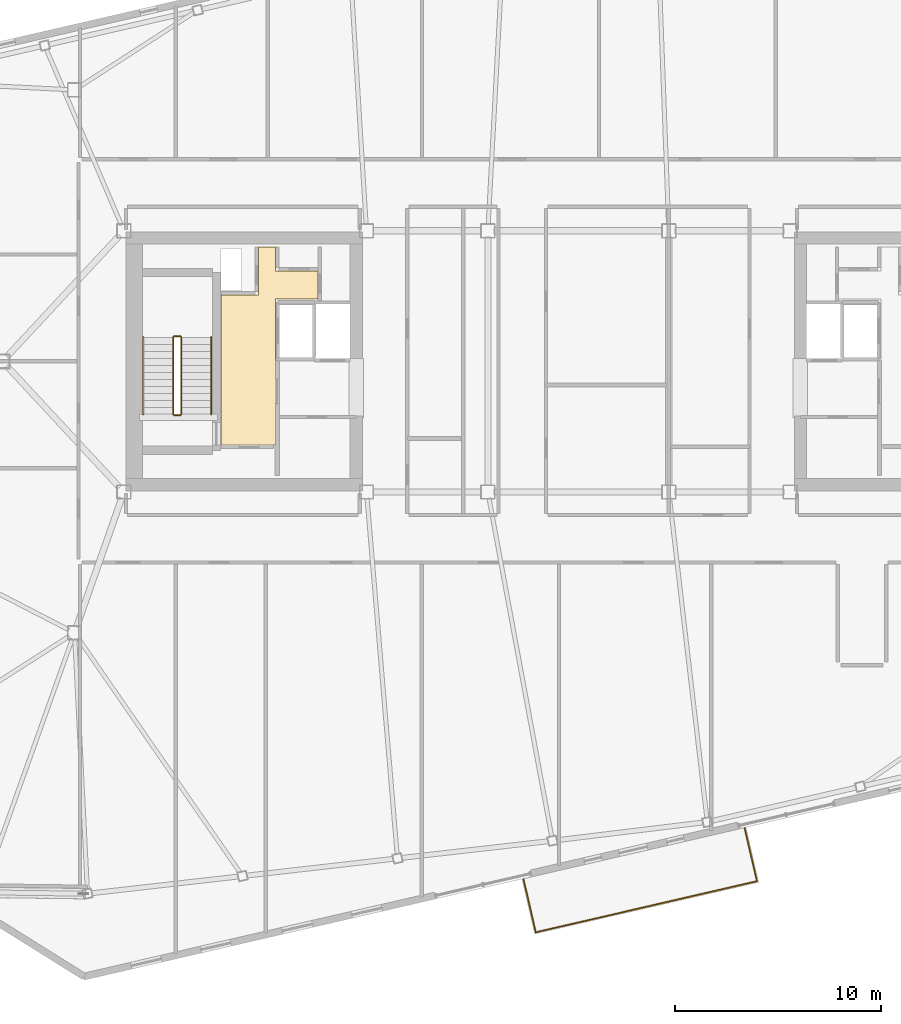
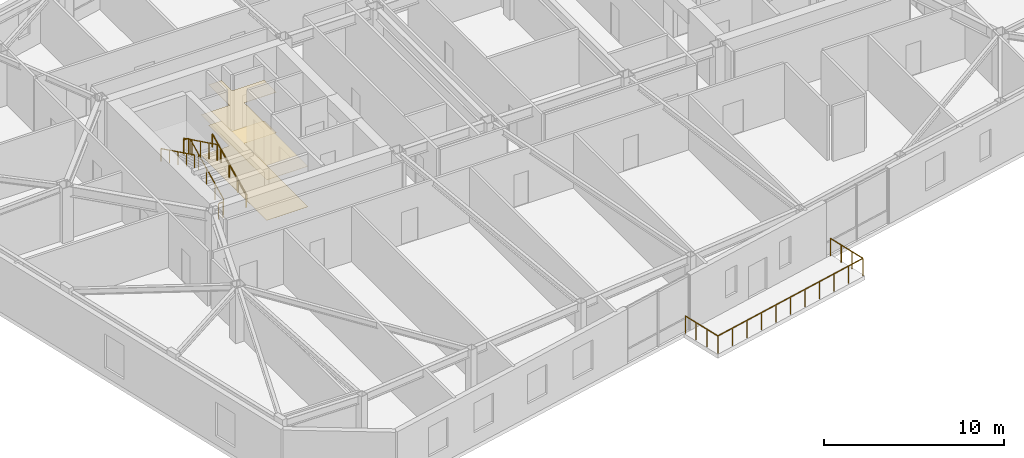
# One storey, part 23 of 24: 7 railings, 2 coverings.
"""IFC4 building model written with IfcOpenShell, lengths in metres."""

from ifc_helpers import new_model, si_unit, direction, frame, origin, origin_2d, place, context, subcontext, project, spatial, polyline, rectangle, outline, extrude, material, layer, layer_set, type_object, element, save


model = new_model("IFC4")

# Units and contexts
model_context = context("Model", 3, precision=1e-05, world=origin(), true_north=direction((0.0, 1.0)))
body_context = subcontext(model_context, "Body", "Model", "MODEL_VIEW")
ifc_project = project(units=[si_unit("LENGTHUNIT", "METRE"), si_unit("AREAUNIT", "SQUARE_METRE"), si_unit("VOLUMEUNIT", "CUBIC_METRE"), si_unit("PLANEANGLEUNIT", "RADIAN"), si_unit("MASSUNIT", "GRAM", prefix="KILO")], contexts=[model_context])

# Site, building, storey
site_placement = place(None, origin())
site = spatial("IfcSite", under=ifc_project, at=site_placement, CompositionType="ELEMENT")
building_placement = place(site_placement, origin())
building = spatial("IfcBuilding", under=site, at=building_placement, Name="Tavrogorsk Clinical Tower", CompositionType="ELEMENT")
storey_placement = place(building_placement, frame((0.0, 0.0, 325.0)))
storey = spatial("IfcBuildingStorey", under=building, at=storey_placement, Name="L76", CompositionType="ELEMENT", Elevation=325.0)

# Coverings
ifc_material_1 = material(Name="Antibacterial micro-perforated aluminium ceiling", Category="aluminium")
ifc_layer_1 = layer(ifc_material_1, 0.014892578125)
ifc_layer_set_1 = layer_set([ifc_layer_1], Name="Antibacterial micro-perforated aluminium ceiling")
covering_type_1 = type_object("IfcCoveringType", Name="ClinicalCeiling_15", PredefinedType="CEILING", material=ifc_layer_set_1)
covering_1_placement = place(storey_placement, frame((0.0, 0.0, 2.75)))
element("IfcCovering", 1, at=covering_1_placement, inside=storey, type_object=covering_type_1, Name="Core West Firefighting Lift Lobby Acoustic Ceiling", PredefinedType="CEILING", context=body_context, shape_type="SweptSolid", body=[
    extrude(outline(polyline([(-17.3798828125, -4.06005859375), (-17.3798828125, 3.239990234375), (-15.56005859375, 3.239990234375), (-15.56005859375, 5.56005859375), (-14.719970703125, 5.56005859375), (-14.719970703125, 4.39990234375), (-12.659912109375, 4.39990234375), (-12.659912109375, 3.0400390625), (-14.719970703125, 3.0400390625), (-14.719970703125, -4.06005859375), (-17.3798828125, -4.06005859375)])), origin(), (0.0, 0.0, 1.0), 0.014892578125),
])
ifc_material_2 = material(Name="Homogeneous medical conductive PVC flooring")
ifc_layer_2 = layer(ifc_material_2, 0.008056640625)
ifc_layer_set_2 = layer_set([ifc_layer_2], Name="Homogeneous medical conductive PVC flooring")
covering_type_2 = type_object("IfcCoveringType", Name="ResilientVinylFloor_8", PredefinedType="FLOORING", material=ifc_layer_set_2)
covering_2_placement = place(storey_placement, origin())
element("IfcCovering", 2, at=covering_2_placement, inside=storey, type_object=covering_type_2, Name="Core West Firefighting Lift Lobby Conductive Vinyl Flooring", PredefinedType="FLOORING", context=body_context, shape_type="SweptSolid", body=[
    extrude(outline(polyline([(-17.3798828125, -4.06005859375), (-17.3798828125, 3.239990234375), (-15.56005859375, 3.239990234375), (-15.56005859375, 5.56005859375), (-14.719970703125, 5.56005859375), (-14.719970703125, 4.39990234375), (-12.659912109375, 4.39990234375), (-12.659912109375, 3.0400390625), (-14.719970703125, 3.0400390625), (-14.719970703125, -4.06005859375), (-17.3798828125, -4.06005859375)])), origin(), (0.0, 0.0, 1.0), 0.008056640625),
])

# Railings
ifc_material_3 = material(Name="Galvanised steel S355 safety stairwell guard", Category="steel")
ifc_layer_3 = layer(ifc_material_3, 0.06005859375)
ifc_layer_set_3 = layer_set([ifc_layer_3], Name="Galvanised steel S355 safety stairwell guard")
railing_type_1 = type_object("IfcRailingType", Name="StairGuard_1150", PredefinedType="GUARDRAIL", material=ifc_layer_set_3)
railing_1_placement = place(storey_placement, frame((-19.300048828125, -2.574951171875, 0.166748046875)))
element("IfcRailing", 3, at=railing_1_placement, inside=storey, type_object=railing_type_1, Name="L76 ST-W stair guard 1", PredefinedType="GUARDRAIL", context=body_context, shape_type="SweptSolid", body=[
    extrude(rectangle(XDim=0.048095703125, YDim=0.048095703125, at=origin_2d()), frame((0.0, 0.0, 1.076171875), z_axis=(0.0, 0.897927990467, 0.440142390523), x_axis=(-1.0, 0.0, 0.0)), (0.0, 0.0, 1.0), 4.1650390625),
    extrude(rectangle(XDim=0.0419921875, YDim=0.0419921875, at=origin_2d()), origin(), (0.0, 0.0, 1.0), 1.052001953125),
    extrude(rectangle(XDim=0.0419921875, YDim=0.0419921875, at=origin_2d()), frame((0.0, 0.93505859375, 0.458251953125)), (0.0, 0.0, 1.0), 1.052001953125),
    extrude(rectangle(XDim=0.0419921875, YDim=0.0419921875, at=origin_2d()), frame((0.0, 1.8701171875, 0.91650390625)), (0.0, 0.0, 1.0), 1.052001953125),
    extrude(rectangle(XDim=0.0419921875, YDim=0.0419921875, at=origin_2d()), frame((0.0, 2.804931640625, 1.375)), (0.0, 0.0, 1.0), 1.052001953125),
    extrude(rectangle(XDim=0.0419921875, YDim=0.0419921875, at=origin_2d()), frame((0.0, 3.739990234375, 1.833251953125)), (0.0, 0.0, 1.0), 1.052001953125),
])
railing_2_placement = place(storey_placement, frame((-19.35009765625, 1.215087890625, 2.0)))
element("IfcRailing", 4, at=railing_2_placement, inside=storey, type_object=railing_type_1, Name="L76 ST-W stair guard 2", PredefinedType="GUARDRAIL", context=body_context, shape_type="SweptSolid", body=[
    extrude(rectangle(XDim=0.048095703125, YDim=0.048095703125, at=origin_2d()), frame((0.0, 0.0, 1.076171875), z_axis=(-1.0, 0.0, 0.0), x_axis=(0.0, -1.0, 0.0)), (0.0, 0.0, 1.0), 0.2998046875),
    extrude(rectangle(XDim=0.0419921875, YDim=0.0419921875, at=origin_2d()), origin(), (0.0, 0.0, 1.0), 1.052001953125),
    extrude(rectangle(XDim=0.0419921875, YDim=0.0419921875, at=origin_2d()), frame((-0.2998046875, 0.0, 0.0)), (0.0, 0.0, 1.0), 1.052001953125),
])
railing_3_placement = place(storey_placement, frame((-19.699951171875, 1.1650390625, 2.166748046875)))
element("IfcRailing", 5, at=railing_3_placement, inside=storey, type_object=railing_type_1, Name="L76 ST-W stair guard 3", PredefinedType="GUARDRAIL", context=body_context, shape_type="SweptSolid", body=[
    extrude(rectangle(XDim=0.048095703125, YDim=0.048095703125, at=origin_2d()), frame((0.0, 0.0, 1.076171875), z_axis=(0.0, -0.897927990467, 0.440142390523), x_axis=(1.0, 0.0, 0.0)), (0.0, 0.0, 1.0), 4.1650390625),
    extrude(rectangle(XDim=0.0419921875, YDim=0.0419921875, at=origin_2d()), origin(), (0.0, 0.0, 1.0), 1.052001953125),
    extrude(rectangle(XDim=0.0419921875, YDim=0.0419921875, at=origin_2d()), frame((0.0, -0.93505859375, 0.458251953125)), (0.0, 0.0, 1.0), 1.052001953125),
    extrude(rectangle(XDim=0.0419921875, YDim=0.0419921875, at=origin_2d()), frame((0.0, -1.8701171875, 0.91650390625)), (0.0, 0.0, 1.0), 1.052001953125),
    extrude(rectangle(XDim=0.0419921875, YDim=0.0419921875, at=origin_2d()), frame((0.0, -2.804931640625, 1.375)), (0.0, 0.0, 1.0), 1.052001953125),
    extrude(rectangle(XDim=0.0419921875, YDim=0.0419921875, at=origin_2d()), frame((0.0, -3.739990234375, 1.833251953125)), (0.0, 0.0, 1.0), 1.052001953125),
])
railing_4_placement = place(storey_placement, frame((-19.35009765625, -2.625, 0.0)))
element("IfcRailing", 6, at=railing_4_placement, inside=storey, type_object=railing_type_1, Name="L76 ST-W stair guard 4", PredefinedType="GUARDRAIL", context=body_context, shape_type="SweptSolid", body=[
    extrude(rectangle(XDim=0.048095703125, YDim=0.048095703125, at=origin_2d()), frame((0.0, 0.0, 1.076171875), z_axis=(-1.0, 0.0, 0.0), x_axis=(0.0, -1.0, 0.0)), (0.0, 0.0, 1.0), 0.2998046875),
    extrude(rectangle(XDim=0.0419921875, YDim=0.0419921875, at=origin_2d()), origin(), (0.0, 0.0, 1.0), 1.052001953125),
    extrude(rectangle(XDim=0.0419921875, YDim=0.0419921875, at=origin_2d()), frame((-0.2998046875, 0.0, 0.0)), (0.0, 0.0, 1.0), 1.052001953125),
])
ifc_material_4 = material(Name="Stainless steel AISI 304 tubular handrail", Category="steel")
ifc_layer_4 = layer(ifc_material_4, 0.050048828125)
ifc_layer_set_4 = layer_set([ifc_layer_4], Name="Stainless steel AISI 304 tubular handrail")
railing_type_2 = type_object("IfcRailingType", Name="StairHandrail_920", PredefinedType="HANDRAIL", material=ifc_layer_set_4)
railing_5_placement = place(storey_placement, frame((-17.85009765625, -2.574951171875, 0.166748046875)))
element("IfcRailing", 7, at=railing_5_placement, inside=storey, type_object=railing_type_2, Name="L76 ST-W stair handrail 1", PredefinedType="HANDRAIL", context=body_context, shape_type="SweptSolid", body=[
    extrude(rectangle(XDim=0.048095703125, YDim=0.048095703125, at=origin_2d()), frame((0.0, 0.0, 0.8759765625), z_axis=(0.0, 0.897927990467, 0.440142390523), x_axis=(-1.0, 0.0, 0.0)), (0.0, 0.0, 1.0), 4.1650390625),
    extrude(rectangle(XDim=0.0419921875, YDim=0.0419921875, at=origin_2d()), origin(), (0.0, 0.0, 1.0), 0.851806640625),
    extrude(rectangle(XDim=0.0419921875, YDim=0.0419921875, at=origin_2d()), frame((0.0, 0.93505859375, 0.458251953125)), (0.0, 0.0, 1.0), 0.851806640625),
    extrude(rectangle(XDim=0.0419921875, YDim=0.0419921875, at=origin_2d()), frame((0.0, 1.8701171875, 0.91650390625)), (0.0, 0.0, 1.0), 0.851806640625),
    extrude(rectangle(XDim=0.0419921875, YDim=0.0419921875, at=origin_2d()), frame((0.0, 2.804931640625, 1.375)), (0.0, 0.0, 1.0), 0.851806640625),
    extrude(rectangle(XDim=0.0419921875, YDim=0.0419921875, at=origin_2d()), frame((0.0, 3.739990234375, 1.833251953125)), (0.0, 0.0, 1.0), 0.851806640625),
])
railing_6_placement = place(storey_placement, frame((-21.14990234375, 1.1650390625, 2.166748046875)))
element("IfcRailing", 8, at=railing_6_placement, inside=storey, type_object=railing_type_2, Name="L76 ST-W stair handrail 2", PredefinedType="HANDRAIL", context=body_context, shape_type="SweptSolid", body=[
    extrude(rectangle(XDim=0.048095703125, YDim=0.048095703125, at=origin_2d()), frame((0.0, 0.0, 0.8759765625), z_axis=(0.0, -0.897927990467, 0.440142390523), x_axis=(1.0, 0.0, 0.0)), (0.0, 0.0, 1.0), 4.1650390625),
    extrude(rectangle(XDim=0.0419921875, YDim=0.0419921875, at=origin_2d()), origin(), (0.0, 0.0, 1.0), 0.851806640625),
    extrude(rectangle(XDim=0.0419921875, YDim=0.0419921875, at=origin_2d()), frame((0.0, -0.93505859375, 0.458251953125)), (0.0, 0.0, 1.0), 0.851806640625),
    extrude(rectangle(XDim=0.0419921875, YDim=0.0419921875, at=origin_2d()), frame((0.0, -1.8701171875, 0.91650390625)), (0.0, 0.0, 1.0), 0.851806640625),
    extrude(rectangle(XDim=0.0419921875, YDim=0.0419921875, at=origin_2d()), frame((0.0, -2.804931640625, 1.375)), (0.0, 0.0, 1.0), 0.851806640625),
    extrude(rectangle(XDim=0.0419921875, YDim=0.0419921875, at=origin_2d()), frame((0.0, -3.739990234375, 1.833251953125)), (0.0, 0.0, 1.0), 0.851806640625),
])
ifc_material_5 = material(Name="Stainless steel AISI 316 and laminated glass balustrade", Category="steel")
ifc_layer_5 = layer(ifc_material_5, 0.090087890625)
ifc_layer_set_5 = layer_set([ifc_layer_5], Name="Stainless steel AISI 316 and laminated glass balustrade")
railing_type_3 = type_object("IfcRailingType", Name="TerraceGuardRailing_1200", PredefinedType="BALUSTRADE", material=ifc_layer_set_5)
railing_7_placement = place(storey_placement, frame((-2.667724609375, -25.179443359375, 0.0)))
element("IfcRailing", 9, at=railing_7_placement, inside=storey, type_object=railing_type_3, Name="L76 Spiralling Terrace Balustrade GD-01", PredefinedType="BALUSTRADE", context=body_context, shape_type="SweptSolid", body=[
    extrude(rectangle(XDim=0.048095703125, YDim=0.048095703125, at=origin_2d()), frame((0.0, 0.0, 1.17578125), z_axis=(0.224980619228, -0.974363238721, 0.0), x_axis=(0.974363238721, 0.224980619228, 0.0)), (0.0, 0.0, 1.0), 2.64990234375),
    extrude(rectangle(XDim=0.048095703125, YDim=0.048095703125, at=origin_2d()), frame((0.59619140625, -2.58203125, 1.17578125), z_axis=(0.974371438286, 0.224945104974, 0.0), x_axis=(-0.224945104974, 0.974371438286, 0.0)), (0.0, 0.0, 1.0), 11.0400390625),
    extrude(rectangle(XDim=0.048095703125, YDim=0.048095703125, at=origin_2d()), frame((11.353271484375, -0.0986328125, 1.17578125), z_axis=(-0.224980619228, 0.974363238721, 0.0), x_axis=(-0.974363238721, -0.224980619228, 0.0)), (0.0, 0.0, 1.0), 2.64990234375),
    extrude(rectangle(XDim=0.0419921875, YDim=0.0419921875, at=origin_2d()), origin(), (0.0, 0.0, 1.0), 1.15185546875),
    extrude(rectangle(XDim=0.0419921875, YDim=0.0419921875, at=origin_2d()), frame((0.19873046875, -0.860595703125, 0.0)), (0.0, 0.0, 1.0), 1.15185546875),
    extrude(rectangle(XDim=0.0419921875, YDim=0.0419921875, at=origin_2d()), frame((0.3974609375, -1.721435546875, 0.0)), (0.0, 0.0, 1.0), 1.15185546875),
    extrude(rectangle(XDim=0.0419921875, YDim=0.0419921875, at=origin_2d()), frame((0.59619140625, -2.58203125, 0.0)), (0.0, 0.0, 1.0), 1.15185546875),
    extrude(rectangle(XDim=0.0419921875, YDim=0.0419921875, at=origin_2d()), frame((1.671875, -2.333740234375, 0.0)), (0.0, 0.0, 1.0), 1.15185546875),
    extrude(rectangle(XDim=0.0419921875, YDim=0.0419921875, at=origin_2d()), frame((2.74755859375, -2.08544921875, 0.0)), (0.0, 0.0, 1.0), 1.15185546875),
    extrude(rectangle(XDim=0.0419921875, YDim=0.0419921875, at=origin_2d()), frame((3.8232421875, -1.8369140625, 0.0)), (0.0, 0.0, 1.0), 1.15185546875),
    extrude(rectangle(XDim=0.0419921875, YDim=0.0419921875, at=origin_2d()), frame((4.89892578125, -1.588623046875, 0.0)), (0.0, 0.0, 1.0), 1.15185546875),
    extrude(rectangle(XDim=0.0419921875, YDim=0.0419921875, at=origin_2d()), frame((5.974609375, -1.34033203125, 0.0)), (0.0, 0.0, 1.0), 1.15185546875),
    extrude(rectangle(XDim=0.0419921875, YDim=0.0419921875, at=origin_2d()), frame((7.050537109375, -1.092041015625, 0.0)), (0.0, 0.0, 1.0), 1.15185546875),
    extrude(rectangle(XDim=0.0419921875, YDim=0.0419921875, at=origin_2d()), frame((8.126220703125, -0.84375, 0.0)), (0.0, 0.0, 1.0), 1.15185546875),
    extrude(rectangle(XDim=0.0419921875, YDim=0.0419921875, at=origin_2d()), frame((9.201904296875, -0.59521484375, 0.0)), (0.0, 0.0, 1.0), 1.15185546875),
    extrude(rectangle(XDim=0.0419921875, YDim=0.0419921875, at=origin_2d()), frame((10.277587890625, -0.346923828125, 0.0)), (0.0, 0.0, 1.0), 1.15185546875),
    extrude(rectangle(XDim=0.0419921875, YDim=0.0419921875, at=origin_2d()), frame((11.353271484375, -0.0986328125, 0.0)), (0.0, 0.0, 1.0), 1.15185546875),
    extrude(rectangle(XDim=0.0419921875, YDim=0.0419921875, at=origin_2d()), frame((11.154541015625, 0.761962890625, 0.0)), (0.0, 0.0, 1.0), 1.15185546875),
    extrude(rectangle(XDim=0.0419921875, YDim=0.0419921875, at=origin_2d()), frame((10.955810546875, 1.622802734375, 0.0)), (0.0, 0.0, 1.0), 1.15185546875),
    extrude(rectangle(XDim=0.0419921875, YDim=0.0419921875, at=origin_2d()), frame((10.757080078125, 2.4833984375, 0.0)), (0.0, 0.0, 1.0), 1.15185546875),
])

save(model, "model.ifc")
